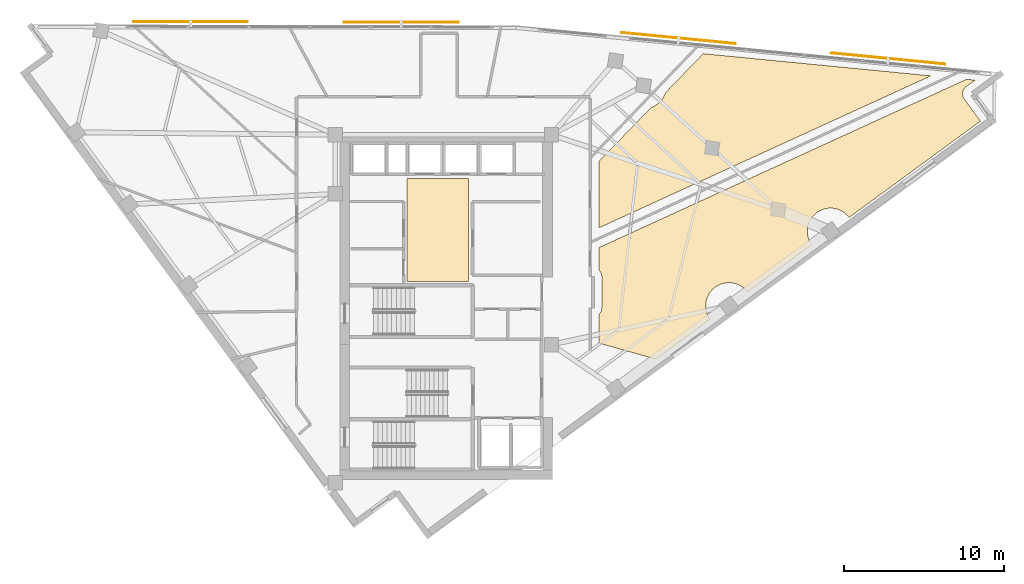
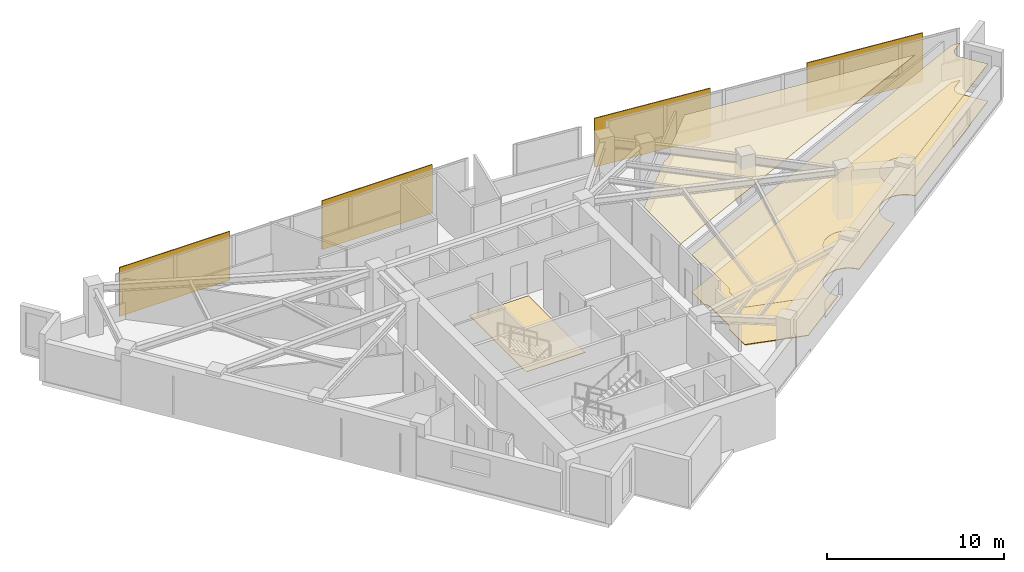
# One storey, part 13 of 13: 4 coverings, 4 shading devices.
"""IFC4 building model written with IfcOpenShell, lengths in metres."""

from ifc_helpers import new_model, si_unit, direction, frame, origin, origin_2d, place, context, subcontext, project, spatial, polyline, rectangle, outline, extrude, material, layer, layer_set, type_object, element, save


model = new_model("IFC4")

# Units and contexts
model_context = context("Model", 3, precision=1e-05, world=origin(), true_north=direction((0.0, 1.0)))
body_context = subcontext(model_context, "Body", "Model", "MODEL_VIEW")
ifc_project = project(units=[si_unit("LENGTHUNIT", "METRE"), si_unit("AREAUNIT", "SQUARE_METRE"), si_unit("VOLUMEUNIT", "CUBIC_METRE"), si_unit("PLANEANGLEUNIT", "RADIAN"), si_unit("MASSUNIT", "GRAM", prefix="KILO")], contexts=[model_context])

# Site, building, storey
site_placement = place(None, origin())
site = spatial("IfcSite", under=ifc_project, at=site_placement, CompositionType="ELEMENT")
building_placement = place(site_placement, origin())
building = spatial("IfcBuilding", under=site, at=building_placement, Name="Narakoshi Arena Tower", CompositionType="ELEMENT")
storey_placement = place(building_placement, frame((0.0, 0.0, 239.6201171875)))
storey = spatial("IfcBuildingStorey", under=building, at=storey_placement, Name="L65", CompositionType="ELEMENT", Elevation=239.6201171875)

# Coverings
ifc_material_1 = material(Name="Acoustic mineral-fibre ceiling tile")
ifc_layer_1 = layer(ifc_material_1, 0.02001953125)
ifc_layer_set_1 = layer_set([ifc_layer_1], Name="Acoustic mineral-fibre ceiling tile")
covering_type_1 = type_object("IfcCoveringType", Name="COV-CLG-AC20", PredefinedType="CEILING", material=ifc_layer_set_1)
covering_1_placement = place(storey_placement, frame((0.0, 0.0, 2.58984375)))
element("IfcCovering", 1, at=covering_1_placement, inside=storey, type_object=covering_type_1, Name="L65 Suspended Acoustic Ceiling 1", PredefinedType="CEILING", context=body_context, shape_type="SweptSolid", body=[
    extrude(outline(polyline([(88.538818359375, 45.260986328125), (88.5751953125, 45.301025390625), (88.607421875, 45.344482421875), (88.635009765625, 45.390625), (88.658203125, 45.439453125), (88.67626953125, 45.490234375), (88.689453125, 45.542724609375), (88.697509765625, 45.59619140625), (88.699951171875, 45.64990234375), (88.699951171875, 47.6201171875), (88.697509765625, 47.673828125), (88.689453125, 47.727294921875), (88.67626953125, 47.77978515625), (88.658203125, 47.83056640625), (88.635009765625, 47.87939453125), (88.607421875, 47.925537109375), (88.5751953125, 47.968994140625), (88.538818359375, 48.0087890625), (88.522216796875, 48.024169921875), (88.522216796875, 49.43212890625), (111.552978515625, 59.97412109375), (112.092041015625, 59.921875), (111.5283203125, 59.50830078125), (111.486328125, 59.474365234375), (111.447998046875, 59.436279296875), (111.41357421875, 59.394775390625), (111.38330078125, 59.35009765625), (111.357666015625, 59.302734375), (111.336669921875, 59.2529296875), (111.32080078125, 59.201416015625), (111.309814453125, 59.1484375), (111.30419921875, 59.0947265625), (111.303955078125, 59.040771484375), (111.30908203125, 58.987060546875), (111.3193359375, 58.93408203125), (111.334716796875, 58.88232421875), (111.35498046875, 58.83251953125), (111.380126953125, 58.78466796875), (111.409912109375, 58.739501953125), (112.426025390625, 57.353515625), (104.194580078125, 51.318115234375), (104.1533203125, 51.37353515625), (104.057861328125, 51.47900390625), (103.952392578125, 51.574462890625), (103.838134765625, 51.6591796875), (103.716064453125, 51.732421875), (103.58740234375, 51.793212890625), (103.453369140625, 51.84130859375), (103.3154296875, 51.875732421875), (103.174560546875, 51.896484375), (103.032470703125, 51.903564453125), (102.890380859375, 51.896484375), (102.74951171875, 51.875732421875), (102.611572265625, 51.84130859375), (102.4775390625, 51.793212890625), (102.34912109375, 51.732421875), (102.226806640625, 51.6591796875), (102.112548828125, 51.574462890625), (102.007080078125, 51.47900390625), (101.91162109375, 51.37353515625), (101.826904296875, 51.25927734375), (101.753662109375, 51.13720703125), (101.69287109375, 51.008544921875), (101.64501953125, 50.87451171875), (101.6103515625, 50.736572265625), (101.589599609375, 50.595703125), (101.58251953125, 50.45361328125), (101.589599609375, 50.3115234375), (101.6103515625, 50.170654296875), (101.64501953125, 50.03271484375), (101.69287109375, 49.898681640625), (101.753662109375, 49.77001953125), (101.826904296875, 49.64794921875), (101.858642578125, 49.605224609375), (97.825439453125, 46.64794921875), (97.7841796875, 46.703369140625), (97.688720703125, 46.808837890625), (97.583251953125, 46.904296875), (97.468994140625, 46.989013671875), (97.346923828125, 47.062255859375), (97.21826171875, 47.123046875), (97.084228515625, 47.171142578125), (96.9462890625, 47.20556640625), (96.805419921875, 47.2265625), (96.663330078125, 47.2333984375), (96.521240234375, 47.2265625), (96.380615234375, 47.20556640625), (96.242431640625, 47.171142578125), (96.1083984375, 47.123046875), (95.97998046875, 47.062255859375), (95.85791015625, 46.989013671875), (95.743408203125, 46.904296875), (95.63818359375, 46.808837890625), (95.54248046875, 46.703369140625), (95.457763671875, 46.589111328125), (95.384521484375, 46.467041015625), (95.32373046875, 46.33837890625), (95.27587890625, 46.204345703125), (95.2412109375, 46.06640625), (95.220458984375, 45.925537109375), (95.21337890625, 45.783447265625), (95.220458984375, 45.641357421875), (95.2412109375, 45.50048828125), (95.27587890625, 45.362548828125), (95.32373046875, 45.228515625), (95.384521484375, 45.10009765625), (95.457763671875, 44.977783203125), (95.489501953125, 44.935302734375), (92.087646484375, 42.44091796875), (88.522216796875, 43.4453125), (88.522216796875, 45.245849609375), (88.538818359375, 45.260986328125)])), origin(), (0.0, 0.0, 1.0), 0.02001953125),
])
ifc_material_2 = material(Name="Slatted oak acoustic timber baffle", Category="wood")
ifc_layer_2 = layer(ifc_material_2, 0.034912109375)
ifc_layer_set_2 = layer_set([ifc_layer_2], Name="Slatted oak acoustic timber baffle")
covering_type_2 = type_object("IfcCoveringType", Name="COV-CLG-WD35", PredefinedType="CEILING", material=ifc_layer_set_2)
covering_2_placement = place(storey_placement, frame((0.0, 0.0, 2.574951171875)))
element("IfcCovering", 2, at=covering_2_placement, inside=storey, type_object=covering_type_2, Name="L65 Suspended Acoustic Ceiling 2", PredefinedType="CEILING", context=body_context, shape_type="SweptSolid", body=[
    extrude(outline(polyline([(88.522216796875, 50.668212890625), (88.522216796875, 54.83251953125), (91.793212890625, 58.21044921875), (91.8662109375, 58.23681640625), (91.994873046875, 58.297607421875), (92.116943359375, 58.37060546875), (92.231201171875, 58.455322265625), (92.336669921875, 58.551025390625), (92.43212890625, 58.656494140625), (92.516845703125, 58.770751953125), (92.590087890625, 58.892822265625), (92.65087890625, 59.021484375), (92.693603515625, 59.140380859375), (95.055419921875, 61.57958984375), (109.32568359375, 60.19091796875), (88.522216796875, 50.668212890625)])), origin(), (0.0, 0.0, 1.0), 0.034912109375),
])
ifc_material_3 = material(Name="Raised steel access floor panel", Category="steel")
ifc_layer_3 = layer(ifc_material_3, 0.044921875)
ifc_layer_set_3 = layer_set([ifc_layer_3], Name="Raised steel access floor panel")
covering_type_3 = type_object("IfcCoveringType", Name="COV-FLR-RF45", PredefinedType="FLOORING", material=ifc_layer_set_3)
covering_3_placement = place(storey_placement, origin())
element("IfcCovering", 3, at=covering_3_placement, inside=storey, type_object=covering_type_3, Name="L65 Raised Steel Access Floor", PredefinedType="FLOORING", context=body_context, shape_type="SweptSolid", body=[
    extrude(outline(polyline([(88.538818359375, 45.260986328125), (88.5751953125, 45.301025390625), (88.607421875, 45.344482421875), (88.635009765625, 45.390625), (88.658203125, 45.439453125), (88.67626953125, 45.490234375), (88.689453125, 45.542724609375), (88.697509765625, 45.59619140625), (88.699951171875, 45.64990234375), (88.699951171875, 47.6201171875), (88.697509765625, 47.673828125), (88.689453125, 47.727294921875), (88.67626953125, 47.77978515625), (88.658203125, 47.83056640625), (88.635009765625, 47.87939453125), (88.607421875, 47.925537109375), (88.5751953125, 47.968994140625), (88.538818359375, 48.0087890625), (88.522216796875, 48.024169921875), (88.522216796875, 49.43212890625), (111.552978515625, 59.97412109375), (112.092041015625, 59.921875), (111.5283203125, 59.50830078125), (111.486328125, 59.474365234375), (111.447998046875, 59.436279296875), (111.41357421875, 59.394775390625), (111.38330078125, 59.35009765625), (111.357666015625, 59.302734375), (111.336669921875, 59.2529296875), (111.32080078125, 59.201416015625), (111.309814453125, 59.1484375), (111.30419921875, 59.0947265625), (111.303955078125, 59.040771484375), (111.30908203125, 58.987060546875), (111.3193359375, 58.93408203125), (111.334716796875, 58.88232421875), (111.35498046875, 58.83251953125), (111.380126953125, 58.78466796875), (111.409912109375, 58.739501953125), (112.426025390625, 57.353515625), (104.194580078125, 51.318115234375), (104.1533203125, 51.37353515625), (104.057861328125, 51.47900390625), (103.952392578125, 51.574462890625), (103.838134765625, 51.6591796875), (103.716064453125, 51.732421875), (103.58740234375, 51.793212890625), (103.453369140625, 51.84130859375), (103.3154296875, 51.875732421875), (103.174560546875, 51.896484375), (103.032470703125, 51.903564453125), (102.890380859375, 51.896484375), (102.74951171875, 51.875732421875), (102.611572265625, 51.84130859375), (102.4775390625, 51.793212890625), (102.34912109375, 51.732421875), (102.226806640625, 51.6591796875), (102.112548828125, 51.574462890625), (102.007080078125, 51.47900390625), (101.91162109375, 51.37353515625), (101.826904296875, 51.25927734375), (101.753662109375, 51.13720703125), (101.69287109375, 51.008544921875), (101.64501953125, 50.87451171875), (101.6103515625, 50.736572265625), (101.589599609375, 50.595703125), (101.58251953125, 50.45361328125), (101.589599609375, 50.3115234375), (101.6103515625, 50.170654296875), (101.64501953125, 50.03271484375), (101.69287109375, 49.898681640625), (101.753662109375, 49.77001953125), (101.826904296875, 49.64794921875), (101.858642578125, 49.605224609375), (97.825439453125, 46.64794921875), (97.7841796875, 46.703369140625), (97.688720703125, 46.808837890625), (97.583251953125, 46.904296875), (97.468994140625, 46.989013671875), (97.346923828125, 47.062255859375), (97.21826171875, 47.123046875), (97.084228515625, 47.171142578125), (96.9462890625, 47.20556640625), (96.805419921875, 47.2265625), (96.663330078125, 47.2333984375), (96.521240234375, 47.2265625), (96.380615234375, 47.20556640625), (96.242431640625, 47.171142578125), (96.1083984375, 47.123046875), (95.97998046875, 47.062255859375), (95.85791015625, 46.989013671875), (95.743408203125, 46.904296875), (95.63818359375, 46.808837890625), (95.54248046875, 46.703369140625), (95.457763671875, 46.589111328125), (95.384521484375, 46.467041015625), (95.32373046875, 46.33837890625), (95.27587890625, 46.204345703125), (95.2412109375, 46.06640625), (95.220458984375, 45.925537109375), (95.21337890625, 45.783447265625), (95.220458984375, 45.641357421875), (95.2412109375, 45.50048828125), (95.27587890625, 45.362548828125), (95.32373046875, 45.228515625), (95.384521484375, 45.10009765625), (95.457763671875, 44.977783203125), (95.489501953125, 44.935302734375), (92.087646484375, 42.44091796875), (88.522216796875, 43.4453125), (88.522216796875, 45.245849609375), (88.538818359375, 45.260986328125)])), origin(), (0.0, 0.0, 1.0), 0.044921875),
])
ifc_material_4 = material(Name="Honed granite stone paving", Category="masonry")
ifc_layer_4 = layer(ifc_material_4, 0.030029296875)
ifc_layer_set_4 = layer_set([ifc_layer_4], Name="Honed granite stone paving")
covering_type_4 = type_object("IfcCoveringType", Name="COV-FLR-ST30", PredefinedType="FLOORING", material=ifc_layer_set_4)
covering_4_placement = place(storey_placement, origin())
element("IfcCovering", 4, at=covering_4_placement, inside=storey, type_object=covering_type_4, Name="L65 Lift Lobby Granite Flooring", PredefinedType="FLOORING", context=body_context, shape_type="SweptSolid", body=[
    extrude(outline(polyline([(76.5, 47.300048828125), (80.35009765625, 47.300048828125), (80.35009765625, 53.75), (76.5, 53.75), (76.5, 47.300048828125)])), origin(), (0.0, 0.0, 1.0), 0.02978515625),
])

# Shading devices
ifc_material_5 = material(Name="Perforated bronze ceramic-metal composite")
ifc_layer_5 = layer(ifc_material_5, 0.06005859375)
ifc_layer_set_5 = layer_set([ifc_layer_5], Name="Perforated bronze ceramic-metal composite")
shading_device_type = type_object("IfcShadingDeviceType", Name="SHD-SCR-BRZ2", PredefinedType="USERDEFINED", material=ifc_layer_set_5)
for number, where, z_axis, x_axis, name in (
    (5, (106.64697265625, 61.275390625, -0.000244140625), (0.0, 0.0, 1.0), (-0.995298664587, 0.096853333819, 0.0), "L65 Perforated Bronze Solar Screen 1-1"),
    (6, (93.509033203125, 62.553955078125, -0.000244140625), (0.0, 0.0, 1.0), (-0.995298664587, 0.096853333819, 0.0), "L65 Perforated Bronze Solar Screen 1-2"),
    (7, (76.1328125, 63.556396484375, -0.000244140625), (0.0, 0.0, 1.0), (-0.999998352629, 0.001815141425, 0.0), "L65 Perforated Bronze Solar Screen 2-1"),
    (8, (62.932861328125, 63.580322265625, -0.000244140625), (0.0, 0.0, 1.0), (-0.999998352629, 0.001815141425, 0.0), "L65 Perforated Bronze Solar Screen 2-2"),
):
    element("IfcShadingDevice", number, at=place(storey_placement, frame(where, z_axis=z_axis, x_axis=x_axis)), inside=storey, type_object=shading_device_type, Name=name, ObjectType="SOLAR SCREEN", PredefinedType="USERDEFINED", context=body_context, shape_type="SweptSolid", body=[
        extrude(rectangle(XDim=7.199951171875, YDim=0.06005859375, at=origin_2d()), origin(), (0.0, 0.0, 1.0), 3.3701171875),
    ])

save(model, "model.ifc")
